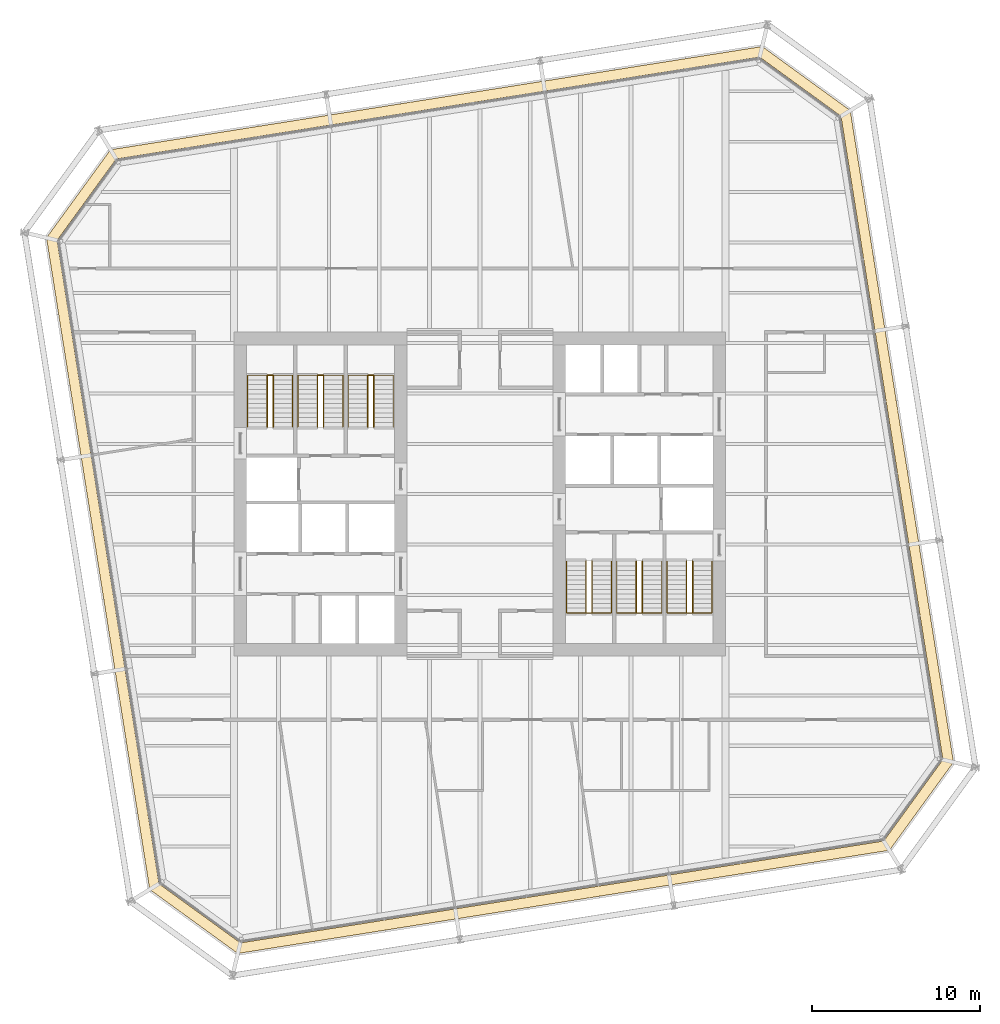
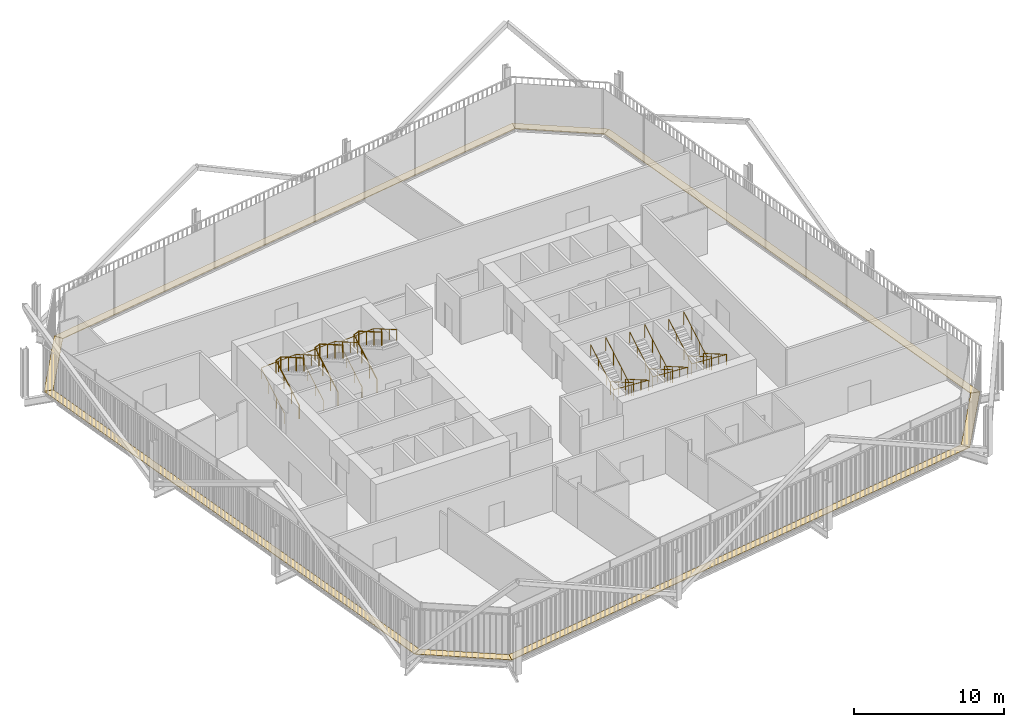
# One storey, part 22 of 22: 12 railings, 8 coverings.
"""IFC4 building model written with IfcOpenShell, lengths in metres."""

import ifcopenshell
import ifcopenshell.guid

model = None  # the IFC model being written
_history = None  # IfcOwnerHistory: only IFC2X3 demands one
_inside = {}  # id of a spatial element -> (the spatial element, [elements in it])
_under = {}  # id of a project, library or spatial element -> (it, [spatial elements below it])
_declared = {}  # id of a project -> (the project, [libraries it declares])
_typed = {}  # id of a type object -> (the type object, [elements of that type])
_made_of = {}  # id of a material, layer set ... -> (it, [elements and type objects made of it])


def new_model(schema):
    """Start an empty IFC model of exactly this schema.

    Asked for "IFC4X3", IfcOpenShell would pick the latest addendum, in which some entities
    have other attributes; the version numbers below select the first issue.
    IFC2X3 requires an IfcOwnerHistory on every rooted entity: one is made here for all.
    """
    global model, _history
    if schema == "IFC4X3":
        model = ifcopenshell.file(schema_version=(4, 3, 0, 0))
    else:
        model = ifcopenshell.file(schema=schema)
    _inside.clear()
    _under.clear()
    _declared.clear()
    _typed.clear()
    _made_of.clear()
    _history = None
    if model.schema == "IFC2X3":
        org = make("IfcOrganization", Name="unknown")
        user = make(
            "IfcPersonAndOrganization",
            ThePerson=make("IfcPerson", FamilyName="unknown"),
            TheOrganization=org,
        )
        app = make(
            "IfcApplication",
            ApplicationDeveloper=org,
            Version="unknown",
            ApplicationFullName="unknown",
            ApplicationIdentifier="unknown",
        )
        _history = make(
            "IfcOwnerHistory",
            OwningUser=user,
            OwningApplication=app,
            ChangeAction="ADDED",
            CreationDate=0,
        )
    return model


def make(cls, **values):
    """One entity of the class cls with the attributes given. An attribute that is None is left unset."""
    return model.create_entity(
        cls, **{name: value for name, value in values.items() if value is not None}
    )


def rooted(cls, **values):
    """An entity with a GlobalId (a new one), such as an element, a storey or a relation."""
    return make(cls, GlobalId=ifcopenshell.guid.new(), OwnerHistory=_history, **values)


def si_unit(unit_type, name, prefix=None):
    """IfcSIUnit, for example si_unit("LENGTHUNIT", "METRE", prefix="MILLI")."""
    return make("IfcSIUnit", UnitType=unit_type, Prefix=prefix, Name=name)


def assignment(units):
    """IfcUnitAssignment: the units of a project."""
    return None if units is None else make("IfcUnitAssignment", Units=units)


def point(xyz):
    """IfcCartesianPoint."""
    return None if xyz is None else make("IfcCartesianPoint", Coordinates=xyz)


def direction(xyz):
    """IfcDirection."""
    return None if xyz is None else make("IfcDirection", DirectionRatios=xyz)


def frame(location, z_axis=None, x_axis=None):
    """IfcAxis2Placement3D, a coordinate frame: its origin and axes. An axis left out is left unset."""
    return make(
        "IfcAxis2Placement3D",
        Location=point(location),
        Axis=direction(z_axis),
        RefDirection=direction(x_axis),
    )


def frame_2d(location, x_axis=None):
    """IfcAxis2Placement2D, a coordinate frame in the plane: its origin and x axis."""
    return make(
        "IfcAxis2Placement2D", Location=point(location), RefDirection=direction(x_axis)
    )


def origin():
    """The frame at (0, 0, 0) with its axes left unset."""
    return frame((0.0, 0.0, 0.0))


def origin_2d():
    """The frame at (0, 0) in the plane with its x axis left unset."""
    return frame_2d((0.0, 0.0))


def place(relative_to, where):
    """IfcLocalPlacement: puts the frame where relative to a parent placement (None: the world)."""
    return make(
        "IfcLocalPlacement", PlacementRelTo=relative_to, RelativePlacement=where
    )


def context(
    kind, dimensions, precision=None, world=None, true_north=None, identifier=None
):
    """IfcGeometricRepresentationContext, for example the 3D "Model" context."""
    return make(
        "IfcGeometricRepresentationContext",
        ContextIdentifier=identifier,
        ContextType=kind,
        CoordinateSpaceDimension=dimensions,
        Precision=precision,
        WorldCoordinateSystem=world,
        TrueNorth=true_north,
    )


def subcontext(parent, identifier, kind, view, scale=None):
    """IfcGeometricRepresentationSubContext, for example "Body" below "Model"."""
    return make(
        "IfcGeometricRepresentationSubContext",
        ContextIdentifier=identifier,
        ContextType=kind,
        ParentContext=parent,
        TargetScale=scale,
        TargetView=view,
    )


def project(units=None, contexts=None):
    """IfcProject with its units and contexts."""
    return rooted(
        "IfcProject",
        Name="project",
        RepresentationContexts=contexts,
        UnitsInContext=assignment(units),
    )


def spatial(cls, under=None, at=None, **own):
    """A site, building, storey or space (cls), placed at a placement, below another one or the project."""
    s = rooted(cls, ObjectPlacement=at, **own)
    if under is not None:
        _under.setdefault(under.id(), (under, []))[1].append(s)
    return s


def polyline(points):
    """IfcPolyline through the points."""
    return make("IfcPolyline", Points=[point(p) for p in points])


def profile(cls, at=None, kind="AREA", **sizes):
    """A parametric profile (cls). Its sizes go by their IFC names, for example OverallWidth=200.0."""
    return make(cls, ProfileType=kind, Position=at, **sizes)


def circle(**sizes):
    """IfcCircleProfileDef."""
    return profile("IfcCircleProfileDef", **sizes)


def outline(outer, holes=None, kind="AREA"):
    """IfcArbitraryClosedProfileDef: a profile drawn as a closed curve; with holes, ...WithVoids."""
    if holes is None:
        return make("IfcArbitraryClosedProfileDef", ProfileType=kind, OuterCurve=outer)
    return make(
        "IfcArbitraryProfileDefWithVoids",
        ProfileType=kind,
        OuterCurve=outer,
        InnerCurves=holes,
    )


def extrude(swept, where, along, depth):
    """IfcExtrudedAreaSolid: the profile swept, set in the frame where, extruded along a direction by depth."""
    return make(
        "IfcExtrudedAreaSolid",
        SweptArea=swept,
        Position=where,
        ExtrudedDirection=direction(along),
        Depth=depth,
    )


def shape(context_of_items, identifier, shape_type, items):
    """IfcShapeRepresentation: the items that make up one representation, for example the "Body"."""
    return make(
        "IfcShapeRepresentation",
        ContextOfItems=context_of_items,
        RepresentationIdentifier=identifier,
        RepresentationType=shape_type,
        Items=items,
    )


def material(Name=None, Category=None):
    """IfcMaterial."""
    return make("IfcMaterial", Name=Name, Category=Category)


def layer(
    of_material, thickness, ventilated=None, Name=None, Category=None, Priority=None
):
    """IfcMaterialLayer: one layer of a wall or slab, of a material (None: an air gap)."""
    return make(
        "IfcMaterialLayer",
        Material=of_material,
        LayerThickness=thickness,
        IsVentilated=ventilated,
        Name=Name,
        Category=Category,
        Priority=Priority,
    )


def layer_set(layers, Name=None):
    """IfcMaterialLayerSet."""
    return make("IfcMaterialLayerSet", MaterialLayers=layers, LayerSetName=Name)


def made_of(thing, what):
    """Note that an element or type object is made of a material, layer set ...; save() writes the relation."""
    if what is not None:
        _made_of.setdefault(what.id(), (what, []))[1].append(thing)
    return thing


def type_object(cls, material=None, **own):
    """A type object (cls), such as IfcWallType, which elements share."""
    return made_of(rooted(cls, **own), material)


def element(
    cls,
    number,
    at=None,
    inside=None,
    cuts=None,
    type_object=None,
    material=None,
    context=None,
    identifier="Body",
    shape_type=None,
    held_by="IfcProductDefinitionShape",
    body=None,
    shapes=None,
    **own,
):
    """One element of the class cls, such as IfcWall. Its Tag is "e" and its number.

    at: its placement. inside: the storey or other place that contains it. cuts: it is an
    opening in that element (IfcRelVoidsElement). A single representation is given by context,
    identifier, shape_type and body (its items); several are given by shapes. held_by: the class
    of the entity that holds the representations. save() writes the other relations.
    """
    e = rooted(cls, Tag="e%d" % number, ObjectPlacement=at, **own)
    if body is not None:
        shapes = [shape(context, identifier, shape_type, body)]
    if shapes is not None:
        e.Representation = make(held_by, Representations=shapes)
    if inside is not None:
        _inside.setdefault(inside.id(), (inside, []))[1].append(e)
    if cuts is not None:
        rooted(
            "IfcRelVoidsElement", RelatingBuildingElement=cuts, RelatedOpeningElement=e
        )
    if type_object is not None:
        _typed.setdefault(type_object.id(), (type_object, []))[1].append(e)
    return made_of(e, material)


def aggregate(whole, parts):
    """IfcRelAggregates: a whole, such as a stair, and the parts it consists of."""
    return rooted("IfcRelAggregates", RelatingObject=whole, RelatedObjects=parts)


def save(model, path):
    """Write the relations noted so far, then the file.

    IfcRelAggregates (storeys below a building ...), IfcRelContainedInSpatialStructure (elements
    in a storey), IfcRelDefinesByType, IfcRelAssociatesMaterial and IfcRelDeclares: one each for
    every whole, place, type object, material and project.
    """
    for whole, parts in _under.values():
        aggregate(whole, parts)
    for where, things in _inside.values():
        rooted(
            "IfcRelContainedInSpatialStructure",
            RelatedElements=things,
            RelatingStructure=where,
        )
    for kind, things in _typed.values():
        rooted("IfcRelDefinesByType", RelatedObjects=things, RelatingType=kind)
    for what, things in _made_of.values():
        rooted("IfcRelAssociatesMaterial", RelatedObjects=things, RelatingMaterial=what)
    for by, libraries in _declared.values():
        rooted("IfcRelDeclares", RelatingContext=by, RelatedDefinitions=libraries)
    model.write(path)


model = new_model("IFC4")

# Units and contexts
model_context = context("Model", 3, precision=1e-05, world=origin(), true_north=direction((0.0, 1.0)))
body_context = subcontext(model_context, "Body", "Model", "MODEL_VIEW")
ifc_project = project(units=[si_unit("LENGTHUNIT", "METRE"), si_unit("AREAUNIT", "SQUARE_METRE"), si_unit("VOLUMEUNIT", "CUBIC_METRE"), si_unit("PLANEANGLEUNIT", "RADIAN"), si_unit("MASSUNIT", "GRAM", prefix="KILO")], contexts=[model_context])

# Site, building, storey
site_placement = place(None, origin())
site = spatial("IfcSite", under=ifc_project, at=site_placement, CompositionType="ELEMENT")
building_placement = place(site_placement, origin())
building = spatial("IfcBuilding", under=site, at=building_placement, Name="Millrace Tower", CompositionType="ELEMENT")
storey_placement = place(building_placement, frame((0.0, 0.0, 145.10009765625)))
storey = spatial("IfcBuildingStorey", under=building, at=storey_placement, Name="L32", CompositionType="ELEMENT", Elevation=145.10009765625)

# Coverings
ifc_material_1 = material(Name="Steel ASTM A36", Category="steel")
ifc_layer = layer(ifc_material_1, 0.050048828125)
ifc_layer_set = layer_set([ifc_layer], Name="Steel ASTM A36")
covering_type = type_object("IfcCoveringType", Name="CAVITY CATWALK steel grating", PredefinedType="FLOORING", material=ifc_layer_set)
placement = place(storey_placement, frame((0.0, 0.0, 0.099853515625)))
element("IfcCovering", 1, at=placement, inside=storey, type_object=covering_type, Name="Cavity catwalk grating C-F01 L32 1", PredefinedType="FLOORING", context=body_context, shape_type="SweptSolid", body=[
    extrude(outline(polyline([(-19.67578125, -23.562255859375), (-14.425048828125, -27.376953125), (-14.2734375, -26.74560546875), (-19.1220703125, -23.222900390625), (-19.67578125, -23.562255859375)])), origin(), (0.0, 0.0, 1.0), 0.050048828125),
])
element("IfcCovering", 2, at=placement, inside=storey, type_object=covering_type, Name="Cavity catwalk grating C-F02 L32 1", PredefinedType="FLOORING", context=body_context, shape_type="SweptSolid", body=[
    extrude(outline(polyline([(-14.425048828125, -27.376953125), (24.412109375, -21.225830078125), (24.07275390625, -20.672119140625), (-14.2734375, -26.74560546875), (-14.425048828125, -27.376953125)])), origin(), (0.0, 0.0, 1.0), 0.050048828125),
])
element("IfcCovering", 3, at=placement, inside=storey, type_object=covering_type, Name="Cavity catwalk grating C-F03 L32 1", PredefinedType="FLOORING", context=body_context, shape_type="SweptSolid", body=[
    extrude(outline(polyline([(24.412109375, -21.225830078125), (28.22705078125, -15.97509765625), (27.595458984375, -15.823486328125), (24.07275390625, -20.672119140625), (24.412109375, -21.225830078125)])), origin(), (0.0, 0.0, 1.0), 0.050048828125),
])
element("IfcCovering", 4, at=placement, inside=storey, type_object=covering_type, Name="Cavity catwalk grating C-F04 L32 1", PredefinedType="FLOORING", context=body_context, shape_type="SweptSolid", body=[
    extrude(outline(polyline([(28.22705078125, -15.97509765625), (22.075927734375, 22.862060546875), (21.522216796875, 22.522705078125), (27.595458984375, -15.823486328125), (28.22705078125, -15.97509765625)])), origin(), (0.0, 0.0, 1.0), 0.050048828125),
])
element("IfcCovering", 5, at=placement, inside=storey, type_object=covering_type, Name="Cavity catwalk grating C-F05 L32 1", PredefinedType="FLOORING", context=body_context, shape_type="SweptSolid", body=[
    extrude(outline(polyline([(22.075927734375, 22.862060546875), (16.824951171875, 26.677001953125), (16.67333984375, 26.045654296875), (21.522216796875, 22.522705078125), (22.075927734375, 22.862060546875)])), origin(), (0.0, 0.0, 1.0), 0.050048828125),
])
element("IfcCovering", 6, at=placement, inside=storey, type_object=covering_type, Name="Cavity catwalk grating C-F06 L32 1", PredefinedType="FLOORING", context=body_context, shape_type="SweptSolid", body=[
    extrude(outline(polyline([(16.824951171875, 26.677001953125), (-22.01220703125, 20.52587890625), (-21.6728515625, 19.97216796875), (16.67333984375, 26.045654296875), (16.824951171875, 26.677001953125)])), origin(), (0.0, 0.0, 1.0), 0.050048828125),
])
element("IfcCovering", 7, at=placement, inside=storey, type_object=covering_type, Name="Cavity catwalk grating C-F07 L32 1", PredefinedType="FLOORING", context=body_context, shape_type="SweptSolid", body=[
    extrude(outline(polyline([(-22.01220703125, 20.52587890625), (-25.8271484375, 15.275146484375), (-25.195556640625, 15.12353515625), (-21.6728515625, 19.97216796875), (-22.01220703125, 20.52587890625)])), origin(), (0.0, 0.0, 1.0), 0.050048828125),
])
element("IfcCovering", 8, at=placement, inside=storey, type_object=covering_type, Name="Cavity catwalk grating C-F08 L32 1", PredefinedType="FLOORING", context=body_context, shape_type="SweptSolid", body=[
    extrude(outline(polyline([(-25.8271484375, 15.275146484375), (-19.67578125, -23.562255859375), (-19.1220703125, -23.222900390625), (-25.195556640625, 15.12353515625), (-25.8271484375, 15.275146484375)])), origin(), (0.0, 0.0, 1.0), 0.050048828125),
])

# Railings
ifc_material_2 = material(Name="Stainless steel ASTM A240 type 316", Category="steel")
railing_type_1 = type_object("IfcRailingType", Name="Stair guard 1100", PredefinedType="GUARDRAIL", material=ifc_material_2)
for number, where, name in (
    (9, (-12.679931640625, 4.0, 0.162353515625), "Stair guard 1 W L32"),
    (10, (-9.679931640625, 4.0, 0.162353515625), "Stair guard 2 W L32"),
    (11, (-6.679931640625, 4.0, 0.162353515625), "Stair guard 3 W L32"),
):
    element("IfcRailing", number, at=place(storey_placement, frame(where)), inside=storey, type_object=railing_type_1, Name=name, PredefinedType="GUARDRAIL", context=body_context, shape_type="SweptSolid", body=[
        extrude(circle(Radius=0.02392578125, at=origin_2d()), frame((0.0, 0.0, 1.076171875), z_axis=(0.0, 0.864890721111, 0.501960198159), x_axis=(-1.0, 0.0, 0.0)), (0.0, 0.0, 1.0), 3.561279296875),
        extrude(circle(Radius=0.02392578125, at=origin_2d()), frame((0.0, 3.080078125, 2.86376953125), z_axis=(0.91152767309, 0.0, 0.411238739895), x_axis=(0.0, 1.0, 0.0)), (0.0, 0.0, 1.0), 0.394775390625),
        extrude(circle(Radius=0.02392578125, at=origin_2d()), frame((0.35986328125, 3.080078125, 3.02587890625), z_axis=(0.0, -0.864890721111, 0.501960198159), x_axis=(1.0, 0.0, 0.0)), (0.0, 0.0, 1.0), 3.561279296875),
        extrude(circle(Radius=0.02099609375, at=origin_2d()), origin(), (0.0, 0.0, 1.0), 1.052001953125),
        extrude(circle(Radius=0.02099609375, at=origin_2d()), frame((0.0, 1.026611328125, 0.595947265625)), (0.0, 0.0, 1.0), 1.052001953125),
        extrude(circle(Radius=0.02099609375, at=origin_2d()), frame((0.0, 2.053466796875, 1.191650390625)), (0.0, 0.0, 1.0), 1.052001953125),
        extrude(circle(Radius=0.02099609375, at=origin_2d()), frame((0.0, 3.080078125, 1.78759765625)), (0.0, 0.0, 1.0), 1.052001953125),
        extrude(circle(Radius=0.02099609375, at=origin_2d()), frame((0.35986328125, 3.080078125, 1.949951171875)), (0.0, 0.0, 1.0), 1.052001953125),
        extrude(circle(Radius=0.02099609375, at=origin_2d()), frame((0.35986328125, 2.053466796875, 2.5458984375)), (0.0, 0.0, 1.0), 1.052001953125),
        extrude(circle(Radius=0.02099609375, at=origin_2d()), frame((0.35986328125, 1.026611328125, 3.1416015625)), (0.0, 0.0, 1.0), 1.052001953125),
        extrude(circle(Radius=0.02099609375, at=origin_2d()), frame((0.35986328125, 0.0, 3.737548828125)), (0.0, 0.0, 1.0), 1.052001953125),
    ])
for number, where, name in (
    (12, (12.679931640625, -4.0, 0.162353515625), "Stair guard 1 E L32"),
    (13, (9.679931640625, -4.0, 0.162353515625), "Stair guard 2 E L32"),
    (14, (6.679931640625, -4.0, 0.162353515625), "Stair guard 3 E L32"),
):
    element("IfcRailing", number, at=place(storey_placement, frame(where)), inside=storey, type_object=railing_type_1, Name=name, PredefinedType="GUARDRAIL", context=body_context, shape_type="SweptSolid", body=[
        extrude(circle(Radius=0.02392578125, at=origin_2d()), frame((0.0, 0.0, 1.076171875), z_axis=(0.0, -0.864890721111, 0.501960198159), x_axis=(1.0, 0.0, 0.0)), (0.0, 0.0, 1.0), 3.561279296875),
        extrude(circle(Radius=0.02392578125, at=origin_2d()), frame((0.0, -3.080078125, 2.86376953125), z_axis=(-0.91152767309, 0.0, 0.411238739895), x_axis=(0.0, -1.0, 0.0)), (0.0, 0.0, 1.0), 0.394775390625),
        extrude(circle(Radius=0.02392578125, at=origin_2d()), frame((-0.35986328125, -3.080078125, 3.02587890625), z_axis=(0.0, 0.864890721111, 0.501960198159), x_axis=(-1.0, 0.0, 0.0)), (0.0, 0.0, 1.0), 3.561279296875),
        extrude(circle(Radius=0.02099609375, at=origin_2d()), origin(), (0.0, 0.0, 1.0), 1.052001953125),
        extrude(circle(Radius=0.02099609375, at=origin_2d()), frame((0.0, -1.026611328125, 0.595947265625)), (0.0, 0.0, 1.0), 1.052001953125),
        extrude(circle(Radius=0.02099609375, at=origin_2d()), frame((0.0, -2.053466796875, 1.191650390625)), (0.0, 0.0, 1.0), 1.052001953125),
        extrude(circle(Radius=0.02099609375, at=origin_2d()), frame((0.0, -3.080078125, 1.78759765625)), (0.0, 0.0, 1.0), 1.052001953125),
        extrude(circle(Radius=0.02099609375, at=origin_2d()), frame((-0.35986328125, -3.080078125, 1.949951171875)), (0.0, 0.0, 1.0), 1.052001953125),
        extrude(circle(Radius=0.02099609375, at=origin_2d()), frame((-0.35986328125, -2.053466796875, 2.5458984375)), (0.0, 0.0, 1.0), 1.052001953125),
        extrude(circle(Radius=0.02099609375, at=origin_2d()), frame((-0.35986328125, -1.026611328125, 3.1416015625)), (0.0, 0.0, 1.0), 1.052001953125),
        extrude(circle(Radius=0.02099609375, at=origin_2d()), frame((-0.35986328125, 0.0, 3.737548828125)), (0.0, 0.0, 1.0), 1.052001953125),
    ])
ifc_material_3 = material(Name="Stainless steel ASTM A240 type 316", Category="steel")
railing_type_2 = type_object("IfcRailingType", Name="Stair handrail 900", PredefinedType="HANDRAIL", material=ifc_material_3)
railing_1_placement = place(storey_placement, frame((-13.840087890625, 4.0, 0.162353515625)))
element("IfcRailing", 15, at=railing_1_placement, inside=storey, type_object=railing_type_2, Name="Stair handrail 1 W L32", PredefinedType="HANDRAIL", context=body_context, shape_type="SweptSolid", body=[
    extrude(circle(Radius=0.02392578125, at=origin_2d()), frame((0.0, 0.0, 0.8759765625), z_axis=(0.0, 0.864890721111, 0.501960198159), x_axis=(-1.0, 0.0, 0.0)), (0.0, 0.0, 1.0), 3.561279296875),
    extrude(circle(Radius=0.02392578125, at=origin_2d()), frame((0.0, 3.080078125, 2.66357421875), z_axis=(0.998170326313, 0.0, 0.06046486309), x_axis=(0.0, 1.0, 0.0)), (0.0, 0.0, 1.0), 2.68505859375),
    extrude(circle(Radius=0.02392578125, at=origin_2d()), frame((2.68017578125, 3.080078125, 2.82568359375), z_axis=(0.0, -0.864890721111, 0.501960198159), x_axis=(1.0, 0.0, 0.0)), (0.0, 0.0, 1.0), 3.561279296875),
    extrude(circle(Radius=0.02099609375, at=origin_2d()), origin(), (0.0, 0.0, 1.0), 0.851806640625),
    extrude(circle(Radius=0.02099609375, at=origin_2d()), frame((0.0, 1.026611328125, 0.595947265625)), (0.0, 0.0, 1.0), 0.851806640625),
    extrude(circle(Radius=0.02099609375, at=origin_2d()), frame((0.0, 2.053466796875, 1.191650390625)), (0.0, 0.0, 1.0), 0.851806640625),
    extrude(circle(Radius=0.02099609375, at=origin_2d()), frame((0.0, 3.080078125, 1.78759765625)), (0.0, 0.0, 1.0), 0.851806640625),
    extrude(circle(Radius=0.02099609375, at=origin_2d()), frame((1.340087890625, 3.080078125, 1.86865234375)), (0.0, 0.0, 1.0), 0.851806640625),
    extrude(circle(Radius=0.02099609375, at=origin_2d()), frame((2.68017578125, 3.080078125, 1.949951171875)), (0.0, 0.0, 1.0), 0.851806640625),
    extrude(circle(Radius=0.02099609375, at=origin_2d()), frame((2.68017578125, 2.053466796875, 2.5458984375)), (0.0, 0.0, 1.0), 0.851806640625),
    extrude(circle(Radius=0.02099609375, at=origin_2d()), frame((2.68017578125, 1.026611328125, 3.1416015625)), (0.0, 0.0, 1.0), 0.851806640625),
    extrude(circle(Radius=0.02099609375, at=origin_2d()), frame((2.68017578125, 0.0, 3.737548828125)), (0.0, 0.0, 1.0), 0.851806640625),
])
railing_2_placement = place(storey_placement, frame((-10.840087890625, 4.0, 0.162353515625)))
element("IfcRailing", 16, at=railing_2_placement, inside=storey, type_object=railing_type_2, Name="Stair handrail 2 W L32", PredefinedType="HANDRAIL", context=body_context, shape_type="SweptSolid", body=[
    extrude(circle(Radius=0.02392578125, at=origin_2d()), frame((0.0, 0.0, 0.8759765625), z_axis=(0.0, 0.864890721111, 0.501960198159), x_axis=(-1.0, 0.0, 0.0)), (0.0, 0.0, 1.0), 3.561279296875),
    extrude(circle(Radius=0.02392578125, at=origin_2d()), frame((0.0, 3.080078125, 2.66357421875), z_axis=(0.998170326313, 0.0, 0.06046486309), x_axis=(0.0, 1.0, 0.0)), (0.0, 0.0, 1.0), 2.68505859375),
    extrude(circle(Radius=0.02392578125, at=origin_2d()), frame((2.68017578125, 3.080078125, 2.82568359375), z_axis=(0.0, -0.864890721111, 0.501960198159), x_axis=(1.0, 0.0, 0.0)), (0.0, 0.0, 1.0), 3.561279296875),
    extrude(circle(Radius=0.02099609375, at=origin_2d()), origin(), (0.0, 0.0, 1.0), 0.851806640625),
    extrude(circle(Radius=0.02099609375, at=origin_2d()), frame((0.0, 1.026611328125, 0.595947265625)), (0.0, 0.0, 1.0), 0.851806640625),
    extrude(circle(Radius=0.02099609375, at=origin_2d()), frame((0.0, 2.053466796875, 1.191650390625)), (0.0, 0.0, 1.0), 0.851806640625),
    extrude(circle(Radius=0.02099609375, at=origin_2d()), frame((0.0, 3.080078125, 1.78759765625)), (0.0, 0.0, 1.0), 0.851806640625),
    extrude(circle(Radius=0.02099609375, at=origin_2d()), frame((1.340087890625, 3.080078125, 1.86865234375)), (0.0, 0.0, 1.0), 0.851806640625),
    extrude(circle(Radius=0.02099609375, at=origin_2d()), frame((2.68017578125, 3.080078125, 1.949951171875)), (0.0, 0.0, 1.0), 0.851806640625),
    extrude(circle(Radius=0.02099609375, at=origin_2d()), frame((2.68017578125, 2.053466796875, 2.5458984375)), (0.0, 0.0, 1.0), 0.851806640625),
    extrude(circle(Radius=0.02099609375, at=origin_2d()), frame((2.68017578125, 1.026611328125, 3.1416015625)), (0.0, 0.0, 1.0), 0.851806640625),
    extrude(circle(Radius=0.02099609375, at=origin_2d()), frame((2.68017578125, 0.0, 3.737548828125)), (0.0, 0.0, 1.0), 0.851806640625),
])
railing_3_placement = place(storey_placement, frame((-7.840087890625, 4.0, 0.162353515625)))
element("IfcRailing", 17, at=railing_3_placement, inside=storey, type_object=railing_type_2, Name="Stair handrail 3 W L32", PredefinedType="HANDRAIL", context=body_context, shape_type="SweptSolid", body=[
    extrude(circle(Radius=0.02392578125, at=origin_2d()), frame((0.0, 0.0, 0.8759765625), z_axis=(0.0, 0.864890721111, 0.501960198159), x_axis=(-1.0, 0.0, 0.0)), (0.0, 0.0, 1.0), 3.561279296875),
    extrude(circle(Radius=0.02392578125, at=origin_2d()), frame((0.0, 3.080078125, 2.66357421875), z_axis=(0.998170326313, 0.0, 0.06046486309), x_axis=(0.0, 1.0, 0.0)), (0.0, 0.0, 1.0), 2.68505859375),
    extrude(circle(Radius=0.02392578125, at=origin_2d()), frame((2.68017578125, 3.080078125, 2.82568359375), z_axis=(0.0, -0.864890721111, 0.501960198159), x_axis=(1.0, 0.0, 0.0)), (0.0, 0.0, 1.0), 3.561279296875),
    extrude(circle(Radius=0.02099609375, at=origin_2d()), origin(), (0.0, 0.0, 1.0), 0.851806640625),
    extrude(circle(Radius=0.02099609375, at=origin_2d()), frame((0.0, 1.026611328125, 0.595947265625)), (0.0, 0.0, 1.0), 0.851806640625),
    extrude(circle(Radius=0.02099609375, at=origin_2d()), frame((0.0, 2.053466796875, 1.191650390625)), (0.0, 0.0, 1.0), 0.851806640625),
    extrude(circle(Radius=0.02099609375, at=origin_2d()), frame((0.0, 3.080078125, 1.78759765625)), (0.0, 0.0, 1.0), 0.851806640625),
    extrude(circle(Radius=0.02099609375, at=origin_2d()), frame((1.340087890625, 3.080078125, 1.86865234375)), (0.0, 0.0, 1.0), 0.851806640625),
    extrude(circle(Radius=0.02099609375, at=origin_2d()), frame((2.68017578125, 3.080078125, 1.949951171875)), (0.0, 0.0, 1.0), 0.851806640625),
    extrude(circle(Radius=0.02099609375, at=origin_2d()), frame((2.68017578125, 2.053466796875, 2.5458984375)), (0.0, 0.0, 1.0), 0.851806640625),
    extrude(circle(Radius=0.02099609375, at=origin_2d()), frame((2.68017578125, 1.026611328125, 3.1416015625)), (0.0, 0.0, 1.0), 0.851806640625),
    extrude(circle(Radius=0.02099609375, at=origin_2d()), frame((2.68017578125, 0.0, 3.737548828125)), (0.0, 0.0, 1.0), 0.851806640625),
])
railing_4_placement = place(storey_placement, frame((13.840087890625, -4.0, 0.162353515625)))
element("IfcRailing", 18, at=railing_4_placement, inside=storey, type_object=railing_type_2, Name="Stair handrail 1 E L32", PredefinedType="HANDRAIL", context=body_context, shape_type="SweptSolid", body=[
    extrude(circle(Radius=0.02392578125, at=origin_2d()), frame((0.0, 0.0, 0.8759765625), z_axis=(0.0, -0.864890721111, 0.501960198159), x_axis=(1.0, 0.0, 0.0)), (0.0, 0.0, 1.0), 3.561279296875),
    extrude(circle(Radius=0.02392578125, at=origin_2d()), frame((0.0, -3.080078125, 2.66357421875), z_axis=(-0.998170326313, 0.0, 0.06046486309), x_axis=(0.0, -1.0, 0.0)), (0.0, 0.0, 1.0), 2.68505859375),
    extrude(circle(Radius=0.02392578125, at=origin_2d()), frame((-2.68017578125, -3.080078125, 2.82568359375), z_axis=(0.0, 0.864890721111, 0.501960198159), x_axis=(-1.0, 0.0, 0.0)), (0.0, 0.0, 1.0), 3.561279296875),
    extrude(circle(Radius=0.02099609375, at=origin_2d()), origin(), (0.0, 0.0, 1.0), 0.851806640625),
    extrude(circle(Radius=0.02099609375, at=origin_2d()), frame((0.0, -1.026611328125, 0.595947265625)), (0.0, 0.0, 1.0), 0.851806640625),
    extrude(circle(Radius=0.02099609375, at=origin_2d()), frame((0.0, -2.053466796875, 1.191650390625)), (0.0, 0.0, 1.0), 0.851806640625),
    extrude(circle(Radius=0.02099609375, at=origin_2d()), frame((0.0, -3.080078125, 1.78759765625)), (0.0, 0.0, 1.0), 0.851806640625),
    extrude(circle(Radius=0.02099609375, at=origin_2d()), frame((-1.340087890625, -3.080078125, 1.86865234375)), (0.0, 0.0, 1.0), 0.851806640625),
    extrude(circle(Radius=0.02099609375, at=origin_2d()), frame((-2.68017578125, -3.080078125, 1.949951171875)), (0.0, 0.0, 1.0), 0.851806640625),
    extrude(circle(Radius=0.02099609375, at=origin_2d()), frame((-2.68017578125, -2.053466796875, 2.5458984375)), (0.0, 0.0, 1.0), 0.851806640625),
    extrude(circle(Radius=0.02099609375, at=origin_2d()), frame((-2.68017578125, -1.026611328125, 3.1416015625)), (0.0, 0.0, 1.0), 0.851806640625),
    extrude(circle(Radius=0.02099609375, at=origin_2d()), frame((-2.68017578125, 0.0, 3.737548828125)), (0.0, 0.0, 1.0), 0.851806640625),
])
railing_5_placement = place(storey_placement, frame((10.840087890625, -4.0, 0.162353515625)))
element("IfcRailing", 19, at=railing_5_placement, inside=storey, type_object=railing_type_2, Name="Stair handrail 2 E L32", PredefinedType="HANDRAIL", context=body_context, shape_type="SweptSolid", body=[
    extrude(circle(Radius=0.02392578125, at=origin_2d()), frame((0.0, 0.0, 0.8759765625), z_axis=(0.0, -0.864890721111, 0.501960198159), x_axis=(1.0, 0.0, 0.0)), (0.0, 0.0, 1.0), 3.561279296875),
    extrude(circle(Radius=0.02392578125, at=origin_2d()), frame((0.0, -3.080078125, 2.66357421875), z_axis=(-0.998170326313, 0.0, 0.06046486309), x_axis=(0.0, -1.0, 0.0)), (0.0, 0.0, 1.0), 2.68505859375),
    extrude(circle(Radius=0.02392578125, at=origin_2d()), frame((-2.68017578125, -3.080078125, 2.82568359375), z_axis=(0.0, 0.864890721111, 0.501960198159), x_axis=(-1.0, 0.0, 0.0)), (0.0, 0.0, 1.0), 3.561279296875),
    extrude(circle(Radius=0.02099609375, at=origin_2d()), origin(), (0.0, 0.0, 1.0), 0.851806640625),
    extrude(circle(Radius=0.02099609375, at=origin_2d()), frame((0.0, -1.026611328125, 0.595947265625)), (0.0, 0.0, 1.0), 0.851806640625),
    extrude(circle(Radius=0.02099609375, at=origin_2d()), frame((0.0, -2.053466796875, 1.191650390625)), (0.0, 0.0, 1.0), 0.851806640625),
    extrude(circle(Radius=0.02099609375, at=origin_2d()), frame((0.0, -3.080078125, 1.78759765625)), (0.0, 0.0, 1.0), 0.851806640625),
    extrude(circle(Radius=0.02099609375, at=origin_2d()), frame((-1.340087890625, -3.080078125, 1.86865234375)), (0.0, 0.0, 1.0), 0.851806640625),
    extrude(circle(Radius=0.02099609375, at=origin_2d()), frame((-2.68017578125, -3.080078125, 1.949951171875)), (0.0, 0.0, 1.0), 0.851806640625),
    extrude(circle(Radius=0.02099609375, at=origin_2d()), frame((-2.68017578125, -2.053466796875, 2.5458984375)), (0.0, 0.0, 1.0), 0.851806640625),
    extrude(circle(Radius=0.02099609375, at=origin_2d()), frame((-2.68017578125, -1.026611328125, 3.1416015625)), (0.0, 0.0, 1.0), 0.851806640625),
    extrude(circle(Radius=0.02099609375, at=origin_2d()), frame((-2.68017578125, 0.0, 3.737548828125)), (0.0, 0.0, 1.0), 0.851806640625),
])
railing_6_placement = place(storey_placement, frame((7.840087890625, -4.0, 0.162353515625)))
element("IfcRailing", 20, at=railing_6_placement, inside=storey, type_object=railing_type_2, Name="Stair handrail 3 E L32", PredefinedType="HANDRAIL", context=body_context, shape_type="SweptSolid", body=[
    extrude(circle(Radius=0.02392578125, at=origin_2d()), frame((0.0, 0.0, 0.8759765625), z_axis=(0.0, -0.864890721111, 0.501960198159), x_axis=(1.0, 0.0, 0.0)), (0.0, 0.0, 1.0), 3.561279296875),
    extrude(circle(Radius=0.02392578125, at=origin_2d()), frame((0.0, -3.080078125, 2.66357421875), z_axis=(-0.998170326313, 0.0, 0.06046486309), x_axis=(0.0, -1.0, 0.0)), (0.0, 0.0, 1.0), 2.68505859375),
    extrude(circle(Radius=0.02392578125, at=origin_2d()), frame((-2.68017578125, -3.080078125, 2.82568359375), z_axis=(0.0, 0.864890721111, 0.501960198159), x_axis=(-1.0, 0.0, 0.0)), (0.0, 0.0, 1.0), 3.561279296875),
    extrude(circle(Radius=0.02099609375, at=origin_2d()), origin(), (0.0, 0.0, 1.0), 0.851806640625),
    extrude(circle(Radius=0.02099609375, at=origin_2d()), frame((0.0, -1.026611328125, 0.595947265625)), (0.0, 0.0, 1.0), 0.851806640625),
    extrude(circle(Radius=0.02099609375, at=origin_2d()), frame((0.0, -2.053466796875, 1.191650390625)), (0.0, 0.0, 1.0), 0.851806640625),
    extrude(circle(Radius=0.02099609375, at=origin_2d()), frame((0.0, -3.080078125, 1.78759765625)), (0.0, 0.0, 1.0), 0.851806640625),
    extrude(circle(Radius=0.02099609375, at=origin_2d()), frame((-1.340087890625, -3.080078125, 1.86865234375)), (0.0, 0.0, 1.0), 0.851806640625),
    extrude(circle(Radius=0.02099609375, at=origin_2d()), frame((-2.68017578125, -3.080078125, 1.949951171875)), (0.0, 0.0, 1.0), 0.851806640625),
    extrude(circle(Radius=0.02099609375, at=origin_2d()), frame((-2.68017578125, -2.053466796875, 2.5458984375)), (0.0, 0.0, 1.0), 0.851806640625),
    extrude(circle(Radius=0.02099609375, at=origin_2d()), frame((-2.68017578125, -1.026611328125, 3.1416015625)), (0.0, 0.0, 1.0), 0.851806640625),
    extrude(circle(Radius=0.02099609375, at=origin_2d()), frame((-2.68017578125, 0.0, 3.737548828125)), (0.0, 0.0, 1.0), 0.851806640625),
])

save(model, "model.ifc")
